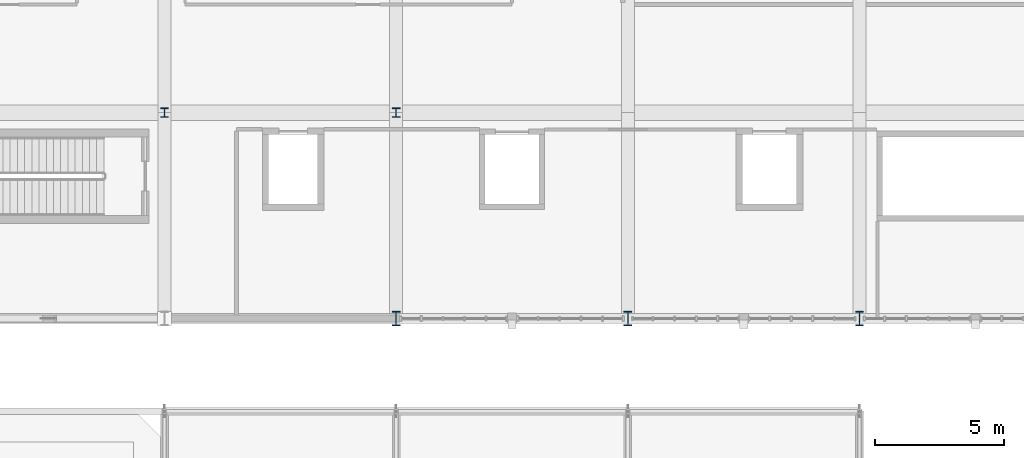
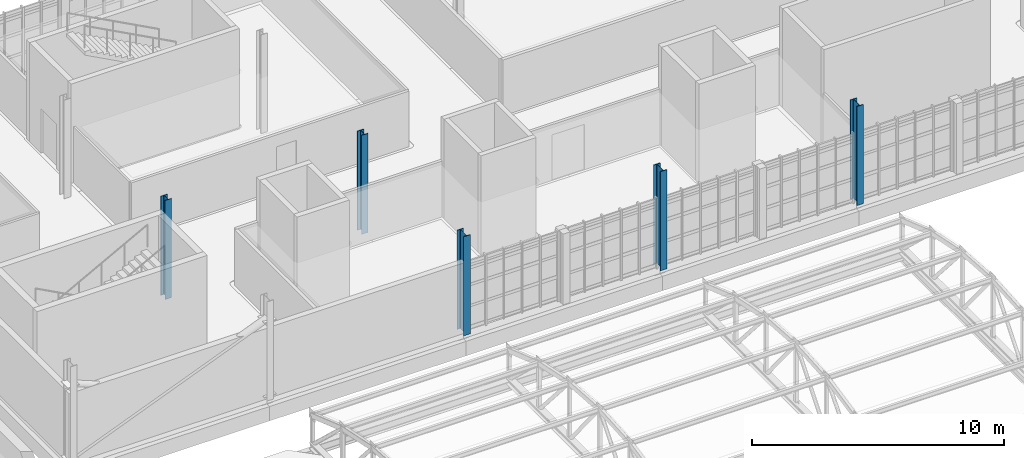
# One storey, part 2 of 128: 5 columns.
"""IFC4 building model written with IfcOpenShell, lengths in metres."""

import ifcopenshell
import ifcopenshell.guid

model = None  # the IFC model being written
_history = None  # IfcOwnerHistory: only IFC2X3 demands one
_inside = {}  # id of a spatial element -> (the spatial element, [elements in it])
_under = {}  # id of a project, library or spatial element -> (it, [spatial elements below it])
_declared = {}  # id of a project -> (the project, [libraries it declares])
_typed = {}  # id of a type object -> (the type object, [elements of that type])
_made_of = {}  # id of a material, layer set ... -> (it, [elements and type objects made of it])


def new_model(schema):
    """Start an empty IFC model of exactly this schema.

    Asked for "IFC4X3", IfcOpenShell would pick the latest addendum, in which some entities
    have other attributes; the version numbers below select the first issue.
    IFC2X3 requires an IfcOwnerHistory on every rooted entity: one is made here for all.
    """
    global model, _history
    if schema == "IFC4X3":
        model = ifcopenshell.file(schema_version=(4, 3, 0, 0))
    else:
        model = ifcopenshell.file(schema=schema)
    _inside.clear()
    _under.clear()
    _declared.clear()
    _typed.clear()
    _made_of.clear()
    _history = None
    if model.schema == "IFC2X3":
        org = make("IfcOrganization", Name="unknown")
        user = make(
            "IfcPersonAndOrganization",
            ThePerson=make("IfcPerson", FamilyName="unknown"),
            TheOrganization=org,
        )
        app = make(
            "IfcApplication",
            ApplicationDeveloper=org,
            Version="unknown",
            ApplicationFullName="unknown",
            ApplicationIdentifier="unknown",
        )
        _history = make(
            "IfcOwnerHistory",
            OwningUser=user,
            OwningApplication=app,
            ChangeAction="ADDED",
            CreationDate=0,
        )
    return model


def make(cls, **values):
    """One entity of the class cls with the attributes given. An attribute that is None is left unset."""
    return model.create_entity(
        cls, **{name: value for name, value in values.items() if value is not None}
    )


def rooted(cls, **values):
    """An entity with a GlobalId (a new one), such as an element, a storey or a relation."""
    return make(cls, GlobalId=ifcopenshell.guid.new(), OwnerHistory=_history, **values)


def si_unit(unit_type, name, prefix=None):
    """IfcSIUnit, for example si_unit("LENGTHUNIT", "METRE", prefix="MILLI")."""
    return make("IfcSIUnit", UnitType=unit_type, Prefix=prefix, Name=name)


def assignment(units):
    """IfcUnitAssignment: the units of a project."""
    return None if units is None else make("IfcUnitAssignment", Units=units)


def point(xyz):
    """IfcCartesianPoint."""
    return None if xyz is None else make("IfcCartesianPoint", Coordinates=xyz)


def direction(xyz):
    """IfcDirection."""
    return None if xyz is None else make("IfcDirection", DirectionRatios=xyz)


def frame(location, z_axis=None, x_axis=None):
    """IfcAxis2Placement3D, a coordinate frame: its origin and axes. An axis left out is left unset."""
    return make(
        "IfcAxis2Placement3D",
        Location=point(location),
        Axis=direction(z_axis),
        RefDirection=direction(x_axis),
    )


def frame_2d(location, x_axis=None):
    """IfcAxis2Placement2D, a coordinate frame in the plane: its origin and x axis."""
    return make(
        "IfcAxis2Placement2D", Location=point(location), RefDirection=direction(x_axis)
    )


def origin():
    """The frame at (0, 0, 0) with its axes left unset."""
    return frame((0.0, 0.0, 0.0))


def origin_2d():
    """The frame at (0, 0) in the plane with its x axis left unset."""
    return frame_2d((0.0, 0.0))


def place(relative_to, where):
    """IfcLocalPlacement: puts the frame where relative to a parent placement (None: the world)."""
    return make(
        "IfcLocalPlacement", PlacementRelTo=relative_to, RelativePlacement=where
    )


def context(
    kind, dimensions, precision=None, world=None, true_north=None, identifier=None
):
    """IfcGeometricRepresentationContext, for example the 3D "Model" context."""
    return make(
        "IfcGeometricRepresentationContext",
        ContextIdentifier=identifier,
        ContextType=kind,
        CoordinateSpaceDimension=dimensions,
        Precision=precision,
        WorldCoordinateSystem=world,
        TrueNorth=true_north,
    )


def subcontext(parent, identifier, kind, view, scale=None):
    """IfcGeometricRepresentationSubContext, for example "Body" below "Model"."""
    return make(
        "IfcGeometricRepresentationSubContext",
        ContextIdentifier=identifier,
        ContextType=kind,
        ParentContext=parent,
        TargetScale=scale,
        TargetView=view,
    )


def project(units=None, contexts=None):
    """IfcProject with its units and contexts."""
    return rooted(
        "IfcProject",
        Name="project",
        RepresentationContexts=contexts,
        UnitsInContext=assignment(units),
    )


def spatial(cls, under=None, at=None, **own):
    """A site, building, storey or space (cls), placed at a placement, below another one or the project."""
    s = rooted(cls, ObjectPlacement=at, **own)
    if under is not None:
        _under.setdefault(under.id(), (under, []))[1].append(s)
    return s


def profile(cls, at=None, kind="AREA", **sizes):
    """A parametric profile (cls). Its sizes go by their IFC names, for example OverallWidth=200.0."""
    return make(cls, ProfileType=kind, Position=at, **sizes)


def i_section(**sizes):
    """IfcIShapeProfileDef."""
    return profile("IfcIShapeProfileDef", **sizes)


def extrude(swept, where, along, depth):
    """IfcExtrudedAreaSolid: the profile swept, set in the frame where, extruded along a direction by depth."""
    return make(
        "IfcExtrudedAreaSolid",
        SweptArea=swept,
        Position=where,
        ExtrudedDirection=direction(along),
        Depth=depth,
    )


def shape(context_of_items, identifier, shape_type, items):
    """IfcShapeRepresentation: the items that make up one representation, for example the "Body"."""
    return make(
        "IfcShapeRepresentation",
        ContextOfItems=context_of_items,
        RepresentationIdentifier=identifier,
        RepresentationType=shape_type,
        Items=items,
    )


def material(Name=None, Category=None):
    """IfcMaterial."""
    return make("IfcMaterial", Name=Name, Category=Category)


def material_profile(
    of_material, cross_section, Name=None, Category=None, Priority=None
):
    """IfcMaterialProfile: a cross section and its material."""
    return make(
        "IfcMaterialProfile",
        Name=Name,
        Material=of_material,
        Profile=cross_section,
        Priority=Priority,
        Category=Category,
    )


def profile_set(profiles, Name=None, composite=None):
    """IfcMaterialProfileSet."""
    return make(
        "IfcMaterialProfileSet",
        Name=Name,
        MaterialProfiles=profiles,
        CompositeProfile=composite,
    )


def made_of(thing, what):
    """Note that an element or type object is made of a material, layer set ...; save() writes the relation."""
    if what is not None:
        _made_of.setdefault(what.id(), (what, []))[1].append(thing)
    return thing


def type_object(cls, material=None, **own):
    """A type object (cls), such as IfcWallType, which elements share."""
    return made_of(rooted(cls, **own), material)


def element(
    cls,
    number,
    at=None,
    inside=None,
    cuts=None,
    type_object=None,
    material=None,
    context=None,
    identifier="Body",
    shape_type=None,
    held_by="IfcProductDefinitionShape",
    body=None,
    shapes=None,
    **own,
):
    """One element of the class cls, such as IfcWall. Its Tag is "e" and its number.

    at: its placement. inside: the storey or other place that contains it. cuts: it is an
    opening in that element (IfcRelVoidsElement). A single representation is given by context,
    identifier, shape_type and body (its items); several are given by shapes. held_by: the class
    of the entity that holds the representations. save() writes the other relations.
    """
    e = rooted(cls, Tag="e%d" % number, ObjectPlacement=at, **own)
    if body is not None:
        shapes = [shape(context, identifier, shape_type, body)]
    if shapes is not None:
        e.Representation = make(held_by, Representations=shapes)
    if inside is not None:
        _inside.setdefault(inside.id(), (inside, []))[1].append(e)
    if cuts is not None:
        rooted(
            "IfcRelVoidsElement", RelatingBuildingElement=cuts, RelatedOpeningElement=e
        )
    if type_object is not None:
        _typed.setdefault(type_object.id(), (type_object, []))[1].append(e)
    return made_of(e, material)


def aggregate(whole, parts):
    """IfcRelAggregates: a whole, such as a stair, and the parts it consists of."""
    return rooted("IfcRelAggregates", RelatingObject=whole, RelatedObjects=parts)


def save(model, path):
    """Write the relations noted so far, then the file.

    IfcRelAggregates (storeys below a building ...), IfcRelContainedInSpatialStructure (elements
    in a storey), IfcRelDefinesByType, IfcRelAssociatesMaterial and IfcRelDeclares: one each for
    every whole, place, type object, material and project.
    """
    for whole, parts in _under.values():
        aggregate(whole, parts)
    for where, things in _inside.values():
        rooted(
            "IfcRelContainedInSpatialStructure",
            RelatedElements=things,
            RelatingStructure=where,
        )
    for kind, things in _typed.values():
        rooted("IfcRelDefinesByType", RelatedObjects=things, RelatingType=kind)
    for what, things in _made_of.values():
        rooted("IfcRelAssociatesMaterial", RelatedObjects=things, RelatingMaterial=what)
    for by, libraries in _declared.values():
        rooted("IfcRelDeclares", RelatingContext=by, RelatedDefinitions=libraries)
    model.write(path)


model = new_model("IFC4")

# Units and contexts
model_context = context("Model", 3, precision=1e-05, world=origin(), true_north=direction((0.0, 1.0)))
body_context = subcontext(model_context, "Body", "Model", "MODEL_VIEW")
ifc_project = project(units=[si_unit("LENGTHUNIT", "METRE"), si_unit("AREAUNIT", "SQUARE_METRE"), si_unit("VOLUMEUNIT", "CUBIC_METRE"), si_unit("PLANEANGLEUNIT", "RADIAN"), si_unit("MASSUNIT", "GRAM", prefix="KILO")], contexts=[model_context])

# Site, building, storey
site_placement = place(None, origin())
site = spatial("IfcSite", under=ifc_project, at=site_placement, CompositionType="ELEMENT")
building_placement = place(site_placement, origin())
building = spatial("IfcBuilding", under=site, at=building_placement, Name="Serraforn Aerial Cableway Station", CompositionType="ELEMENT")
storey_placement = place(building_placement, frame((0.0, 0.0, 9.0)))
storey = spatial("IfcBuildingStorey", under=building, at=storey_placement, Name="L02", CompositionType="ELEMENT", Elevation=9.0)

# Columns
ifc_material = material(Name="Steel S355J2", Category="steel")
ifc_material_profile_1 = material_profile(ifc_material, i_section(OverallWidth=0.300048828125, OverallDepth=0.360107421875, WebThickness=0.012451171875, FlangeThickness=0.0224609375, FilletRadius=0.027099609375, at=origin_2d()), Name="HEB 360")
ifc_profile_set_1 = profile_set([ifc_material_profile_1], Name="Steel S355J2")
column_type_1 = type_object("IfcColumnType", Name="COL-ST-HEB360", PredefinedType="COLUMN", material=ifc_profile_set_1)
for number, where, z_axis, x_axis, name in (
    (1, (36.60009765625, 26.0, 0.0), (0.0, 0.0, 1.0), (1.0, 0.0, 0.0), "Column CV L02 6-D1"),
    (2, (45.60009765625, 26.0, 0.0), (0.0, 0.0, 1.0), (1.0, 0.0, 0.0), "Column CV L02 7-D1"),
):
    element("IfcColumn", number, at=place(storey_placement, frame(where, z_axis=z_axis, x_axis=x_axis)), inside=storey, type_object=column_type_1, Name=name, PredefinedType="COLUMN", context=body_context, shape_type="SweptSolid", body=[
        extrude(i_section(OverallWidth=0.300048828125, OverallDepth=0.360107421875, WebThickness=0.012451171875, FlangeThickness=0.0224609375, FilletRadius=0.027099609375, at=origin_2d()), origin(), (0.0, 0.0, 1.0), 4.800048828125),
    ])
ifc_material_profile_2 = material_profile(ifc_material, i_section(OverallWidth=0.300048828125, OverallDepth=0.550048828125, WebThickness=0.014892578125, FlangeThickness=0.029052734375, FilletRadius=0.027099609375, at=origin_2d()), Name="HEB 550")
ifc_profile_set_2 = profile_set([ifc_material_profile_2], Name="Steel S355J2")
column_type_2 = type_object("IfcColumnType", Name="COL-ST-HEB550", PredefinedType="COLUMN", material=ifc_profile_set_2)
for number, where, z_axis, x_axis, name in (
    (3, (45.60009765625, 18.0, 0.0), (0.0, 0.0, 1.0), (1.0, 0.0, 0.0), "Column CV L02 7-C"),
    (4, (54.60009765625, 18.0, 0.0), (0.0, 0.0, 1.0), (1.0, 0.0, 0.0), "Column CV L02 8-C"),
    (5, (63.60009765625, 18.0, 0.0), (0.0, 0.0, 1.0), (1.0, 0.0, 0.0), "Column CV L02 9-C"),
):
    element("IfcColumn", number, at=place(storey_placement, frame(where, z_axis=z_axis, x_axis=x_axis)), inside=storey, type_object=column_type_2, Name=name, PredefinedType="COLUMN", context=body_context, shape_type="SweptSolid", body=[
        extrude(i_section(OverallWidth=0.300048828125, OverallDepth=0.550048828125, WebThickness=0.014892578125, FlangeThickness=0.029052734375, FilletRadius=0.027099609375, at=origin_2d()), origin(), (0.0, 0.0, 1.0), 4.800048828125),
    ])

save(model, "model.ifc")
